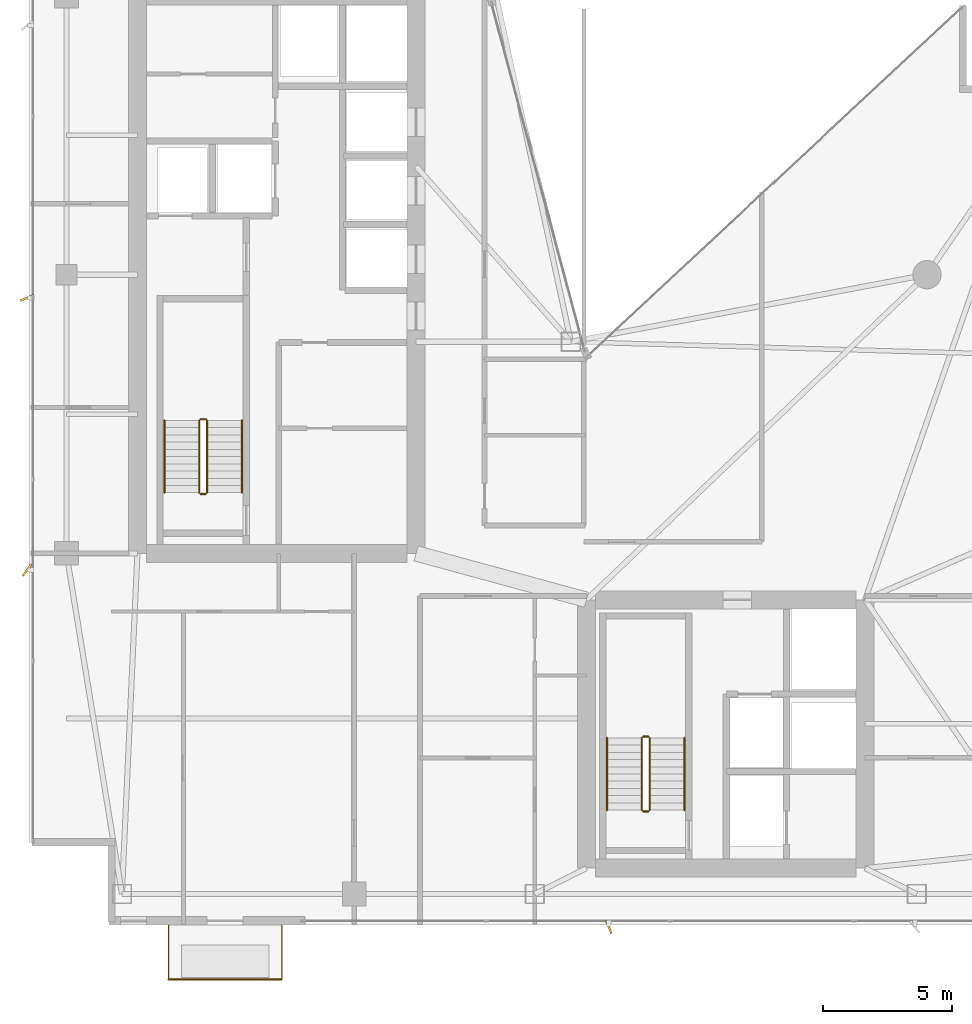
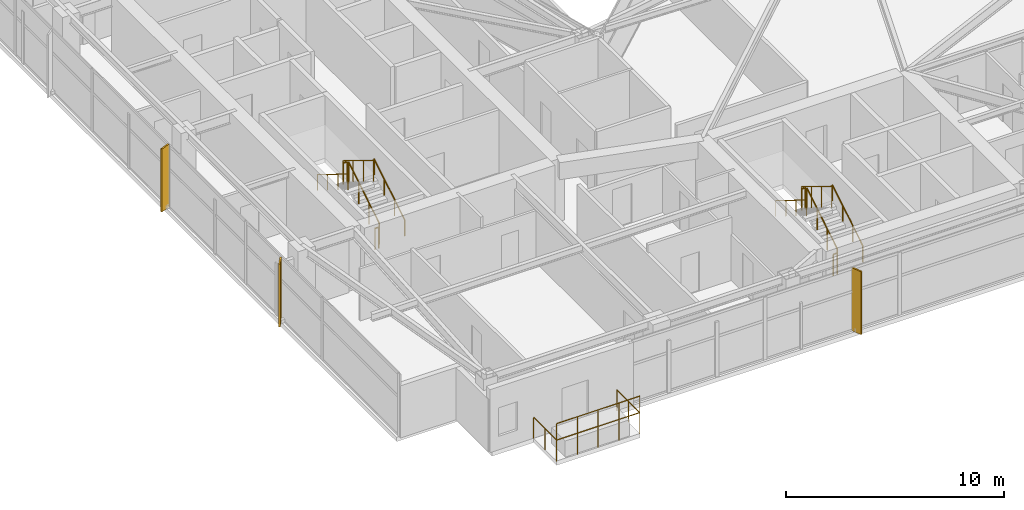
# One storey, part 26 of 27: 14 railings, 3 shading devices.
"""IFC4 building model written with IfcOpenShell, lengths in metres."""

from ifc_helpers import new_model, si_unit, direction, frame, origin, origin_2d, place, context, subcontext, project, spatial, rectangle, circle, extrude, material, type_object, element, save


model = new_model("IFC4")

# Units and contexts
model_context = context("Model", 3, precision=1e-05, world=origin(), true_north=direction((0.0, 1.0)))
body_context = subcontext(model_context, "Body", "Model", "MODEL_VIEW")
ifc_project = project(units=[si_unit("LENGTHUNIT", "METRE"), si_unit("AREAUNIT", "SQUARE_METRE"), si_unit("VOLUMEUNIT", "CUBIC_METRE"), si_unit("PLANEANGLEUNIT", "RADIAN"), si_unit("MASSUNIT", "GRAM", prefix="KILO")], contexts=[model_context])

# Site, building, storey
site_placement = place(None, origin())
site = spatial("IfcSite", under=ifc_project, at=site_placement, CompositionType="ELEMENT")
building_placement = place(site_placement, origin())
building = spatial("IfcBuilding", under=site, at=building_placement, Name="Calvorn Quay Hotel", CompositionType="ELEMENT")
storey_placement = place(building_placement, frame((0.0, 0.0, 230.699951171875)))
storey = spatial("IfcBuildingStorey", under=building, at=storey_placement, Name="L57", CompositionType="ELEMENT", Elevation=230.699951171875)

# Railings
ifc_material_1 = material(Name="Pale Anodised Aluminium and Laminated Glass", Category="aluminium")
railing_type_1 = type_object("IfcRailingType", Name="RLG-BALUSTRADE-1200", PredefinedType="BALUSTRADE", material=ifc_material_1)
railing_1_placement = place(storey_placement, frame((5.39990234375, 2.389892578125, 0.0)))
element("IfcRailing", 1, at=railing_1_placement, inside=storey, type_object=railing_type_1, Name="Tree Balcony Perimeter Balustrade L57-BALC-S", PredefinedType="BALUSTRADE", context=body_context, shape_type="SweptSolid", body=[
    extrude(circle(Radius=0.02392578125, at=origin_2d()), frame((0.0, 0.0, 1.17578125), z_axis=(0.0, -1.0, 0.0), x_axis=(1.0, 0.0, 0.0)), (0.0, 0.0, 1.0), 2.099853515625),
    extrude(circle(Radius=0.02392578125, at=origin_2d()), frame((0.0, -2.099853515625, 1.17578125), z_axis=(1.0, 0.0, 0.0), x_axis=(0.0, 1.0, 0.0)), (0.0, 0.0, 1.0), 4.400146484375),
    extrude(circle(Radius=0.02392578125, at=origin_2d()), frame((4.400146484375, -2.099853515625, 1.17578125), z_axis=(0.0, 1.0, 0.0), x_axis=(-1.0, 0.0, 0.0)), (0.0, 0.0, 1.0), 2.099853515625),
    extrude(circle(Radius=0.02099609375, at=origin_2d()), origin(), (0.0, 0.0, 1.0), 1.15185546875),
    extrude(circle(Radius=0.02099609375, at=origin_2d()), frame((0.0, -1.0498046875, 0.0)), (0.0, 0.0, 1.0), 1.15185546875),
    extrude(circle(Radius=0.02099609375, at=origin_2d()), frame((0.0, -2.099853515625, 0.0)), (0.0, 0.0, 1.0), 1.15185546875),
    extrude(circle(Radius=0.02099609375, at=origin_2d()), frame((1.10009765625, -2.099853515625, 0.0)), (0.0, 0.0, 1.0), 1.15185546875),
    extrude(circle(Radius=0.02099609375, at=origin_2d()), frame((2.2001953125, -2.099853515625, 0.0)), (0.0, 0.0, 1.0), 1.15185546875),
    extrude(circle(Radius=0.02099609375, at=origin_2d()), frame((3.300048828125, -2.099853515625, 0.0)), (0.0, 0.0, 1.0), 1.15185546875),
    extrude(circle(Radius=0.02099609375, at=origin_2d()), frame((4.400146484375, -2.099853515625, 0.0)), (0.0, 0.0, 1.0), 1.15185546875),
    extrude(circle(Radius=0.02099609375, at=origin_2d()), frame((4.400146484375, -1.0498046875, 0.0)), (0.0, 0.0, 1.0), 1.15185546875),
    extrude(circle(Radius=0.02099609375, at=origin_2d()), frame((4.400146484375, 0.0, 0.0)), (0.0, 0.0, 1.0), 1.15185546875),
])
railing_2_placement = place(storey_placement, frame((5.39990234375, 0.2900390625, 0.900146484375)))
element("IfcRailing", 2, at=railing_2_placement, inside=storey, type_object=railing_type_1, Name="Planter Kerb High Safety Screen L57-BALC-S", PredefinedType="BALUSTRADE", context=body_context, shape_type="SweptSolid", body=[
    extrude(circle(Radius=0.02392578125, at=origin_2d()), frame((0.0, 0.0, 1.19580078125), z_axis=(1.0, 0.0, 0.0), x_axis=(0.0, 1.0, 0.0)), (0.0, 0.0, 1.0), 4.400146484375),
    extrude(circle(Radius=0.02099609375, at=origin_2d()), origin(), (0.0, 0.0, 1.0), 1.171875),
    extrude(circle(Radius=0.02099609375, at=origin_2d()), frame((1.10009765625, 0.0, 0.0)), (0.0, 0.0, 1.0), 1.171875),
    extrude(circle(Radius=0.02099609375, at=origin_2d()), frame((2.2001953125, 0.0, 0.0)), (0.0, 0.0, 1.0), 1.171875),
    extrude(circle(Radius=0.02099609375, at=origin_2d()), frame((3.300048828125, 0.0, 0.0)), (0.0, 0.0, 1.0), 1.171875),
    extrude(circle(Radius=0.02099609375, at=origin_2d()), frame((4.400146484375, 0.0, 0.0)), (0.0, 0.0, 1.0), 1.171875),
])
ifc_material_2 = material(Name="Brushed Stainless Steel Handrail", Category="steel")
railing_type_2 = type_object("IfcRailingType", Name="RLG-HANDRAIL-900", PredefinedType="HANDRAIL", material=ifc_material_2)
railing_3_placement = place(storey_placement, frame((8.25, 19.14990234375, 0.1728515625)))
element("IfcRailing", 3, at=railing_3_placement, inside=storey, type_object=railing_type_2, Name="L57 ST-W stair handrail 1", PredefinedType="HANDRAIL", context=body_context, shape_type="SweptSolid", body=[
    extrude(circle(Radius=0.02392578125, at=origin_2d()), frame((0.0, 0.0, 0.8759765625), z_axis=(0.0, 0.851089632645, 0.525020415988), x_axis=(-1.0, 0.0, 0.0)), (0.0, 0.0, 1.0), 3.2900390625),
    extrude(circle(Radius=0.02099609375, at=origin_2d()), origin(), (0.0, 0.0, 1.0), 0.851806640625),
    extrude(circle(Radius=0.02099609375, at=origin_2d()), frame((0.0, 0.933349609375, 0.57568359375)), (0.0, 0.0, 1.0), 0.851806640625),
    extrude(circle(Radius=0.02099609375, at=origin_2d()), frame((0.0, 1.86669921875, 1.151611328125)), (0.0, 0.0, 1.0), 0.851806640625),
    extrude(circle(Radius=0.02099609375, at=origin_2d()), frame((0.0, 2.800048828125, 1.727294921875)), (0.0, 0.0, 1.0), 0.851806640625),
])
railing_4_placement = place(storey_placement, frame((5.25, 21.949951171875, 2.07275390625)))
element("IfcRailing", 4, at=railing_4_placement, inside=storey, type_object=railing_type_2, Name="L57 ST-W stair handrail 2", PredefinedType="HANDRAIL", context=body_context, shape_type="SweptSolid", body=[
    extrude(circle(Radius=0.02392578125, at=origin_2d()), frame((0.0, 0.0, 0.8759765625), z_axis=(0.0, -0.851089632645, 0.525020415988), x_axis=(1.0, 0.0, 0.0)), (0.0, 0.0, 1.0), 3.2900390625),
    extrude(circle(Radius=0.02099609375, at=origin_2d()), origin(), (0.0, 0.0, 1.0), 0.851806640625),
    extrude(circle(Radius=0.02099609375, at=origin_2d()), frame((0.0, -0.933349609375, 0.57568359375)), (0.0, 0.0, 1.0), 0.851806640625),
    extrude(circle(Radius=0.02099609375, at=origin_2d()), frame((0.0, -1.86669921875, 1.151611328125)), (0.0, 0.0, 1.0), 0.851806640625),
    extrude(circle(Radius=0.02099609375, at=origin_2d()), frame((0.0, -2.800048828125, 1.727294921875)), (0.0, 0.0, 1.0), 0.851806640625),
])
railing_5_placement = place(storey_placement, frame((25.39990234375, 6.85009765625, 0.1728515625)))
element("IfcRailing", 5, at=railing_5_placement, inside=storey, type_object=railing_type_2, Name="L57 ST-E stair handrail 1", PredefinedType="HANDRAIL", context=body_context, shape_type="SweptSolid", body=[
    extrude(circle(Radius=0.02392578125, at=origin_2d()), frame((0.0, 0.0, 0.8759765625), z_axis=(0.0, 0.851069175582, 0.525053576669), x_axis=(-1.0, 0.0, 0.0)), (0.0, 0.0, 1.0), 3.289794921875),
    extrude(circle(Radius=0.02099609375, at=origin_2d()), origin(), (0.0, 0.0, 1.0), 0.851806640625),
    extrude(circle(Radius=0.02099609375, at=origin_2d()), frame((0.0, 0.933349609375, 0.57568359375)), (0.0, 0.0, 1.0), 0.851806640625),
    extrude(circle(Radius=0.02099609375, at=origin_2d()), frame((0.0, 1.866455078125, 1.151611328125)), (0.0, 0.0, 1.0), 0.851806640625),
    extrude(circle(Radius=0.02099609375, at=origin_2d()), frame((0.0, 2.7998046875, 1.727294921875)), (0.0, 0.0, 1.0), 0.851806640625),
])
railing_6_placement = place(storey_placement, frame((22.39990234375, 9.64990234375, 2.07275390625)))
element("IfcRailing", 6, at=railing_6_placement, inside=storey, type_object=railing_type_2, Name="L57 ST-E stair handrail 2", PredefinedType="HANDRAIL", context=body_context, shape_type="SweptSolid", body=[
    extrude(circle(Radius=0.02392578125, at=origin_2d()), frame((0.0, 0.0, 0.8759765625), z_axis=(0.0, -0.851069175582, 0.525053576669), x_axis=(1.0, 0.0, 0.0)), (0.0, 0.0, 1.0), 3.289794921875),
    extrude(circle(Radius=0.02099609375, at=origin_2d()), origin(), (0.0, 0.0, 1.0), 0.851806640625),
    extrude(circle(Radius=0.02099609375, at=origin_2d()), frame((0.0, -0.933349609375, 0.57568359375)), (0.0, 0.0, 1.0), 0.851806640625),
    extrude(circle(Radius=0.02099609375, at=origin_2d()), frame((0.0, -1.866455078125, 1.151611328125)), (0.0, 0.0, 1.0), 0.851806640625),
    extrude(circle(Radius=0.02099609375, at=origin_2d()), frame((0.0, -2.7998046875, 1.727294921875)), (0.0, 0.0, 1.0), 0.851806640625),
])
ifc_material_3 = material(Name="Painted Galvanised Steel Balustrade", Category="steel")
railing_type_3 = type_object("IfcRailingType", Name="RLG-STAIR-GUARD-1120", PredefinedType="GUARDRAIL", material=ifc_material_3)
railing_7_placement = place(storey_placement, frame((6.89990234375, 19.14990234375, 0.1728515625)))
element("IfcRailing", 7, at=railing_7_placement, inside=storey, type_object=railing_type_3, Name="L57 ST-W stair guard 1", PredefinedType="GUARDRAIL", context=body_context, shape_type="SweptSolid", body=[
    extrude(circle(Radius=0.02392578125, at=origin_2d()), frame((0.0, 0.0, 1.17578125), z_axis=(0.0, 0.851089632645, 0.525020415988), x_axis=(-1.0, 0.0, 0.0)), (0.0, 0.0, 1.0), 3.2900390625),
    extrude(circle(Radius=0.02099609375, at=origin_2d()), origin(), (0.0, 0.0, 1.0), 1.15185546875),
    extrude(circle(Radius=0.02099609375, at=origin_2d()), frame((0.0, 0.933349609375, 0.57568359375)), (0.0, 0.0, 1.0), 1.15185546875),
    extrude(circle(Radius=0.02099609375, at=origin_2d()), frame((0.0, 1.86669921875, 1.151611328125)), (0.0, 0.0, 1.0), 1.15185546875),
    extrude(circle(Radius=0.02099609375, at=origin_2d()), frame((0.0, 2.800048828125, 1.727294921875)), (0.0, 0.0, 1.0), 1.15185546875),
])
railing_8_placement = place(storey_placement, frame((6.85009765625, 22.0, 1.900146484375)))
element("IfcRailing", 8, at=railing_8_placement, inside=storey, type_object=railing_type_3, Name="L57 ST-W stair guard 2", PredefinedType="GUARDRAIL", context=body_context, shape_type="SweptSolid", body=[
    extrude(circle(Radius=0.02392578125, at=origin_2d()), frame((0.0, 0.0, 1.17578125), z_axis=(-1.0, 0.0, 0.0), x_axis=(0.0, -1.0, 0.0)), (0.0, 0.0, 1.0), 0.2001953125),
    extrude(circle(Radius=0.02099609375, at=origin_2d()), origin(), (0.0, 0.0, 1.0), 1.15185546875),
    extrude(circle(Radius=0.02099609375, at=origin_2d()), frame((-0.2001953125, 0.0, 0.0)), (0.0, 0.0, 1.0), 1.15185546875),
])
railing_9_placement = place(storey_placement, frame((6.60009765625, 21.949951171875, 2.07275390625)))
element("IfcRailing", 9, at=railing_9_placement, inside=storey, type_object=railing_type_3, Name="L57 ST-W stair guard 3", PredefinedType="GUARDRAIL", context=body_context, shape_type="SweptSolid", body=[
    extrude(circle(Radius=0.02392578125, at=origin_2d()), frame((0.0, 0.0, 1.17578125), z_axis=(0.0, -0.851089632645, 0.525020415988), x_axis=(1.0, 0.0, 0.0)), (0.0, 0.0, 1.0), 3.2900390625),
    extrude(circle(Radius=0.02099609375, at=origin_2d()), origin(), (0.0, 0.0, 1.0), 1.15185546875),
    extrude(circle(Radius=0.02099609375, at=origin_2d()), frame((0.0, -0.933349609375, 0.57568359375)), (0.0, 0.0, 1.0), 1.15185546875),
    extrude(circle(Radius=0.02099609375, at=origin_2d()), frame((0.0, -1.86669921875, 1.151611328125)), (0.0, 0.0, 1.0), 1.15185546875),
    extrude(circle(Radius=0.02099609375, at=origin_2d()), frame((0.0, -2.800048828125, 1.727294921875)), (0.0, 0.0, 1.0), 1.15185546875),
])
railing_10_placement = place(storey_placement, frame((6.85009765625, 19.10009765625, 0.0)))
element("IfcRailing", 10, at=railing_10_placement, inside=storey, type_object=railing_type_3, Name="L57 ST-W stair guard 4", PredefinedType="GUARDRAIL", context=body_context, shape_type="SweptSolid", body=[
    extrude(circle(Radius=0.02392578125, at=origin_2d()), frame((0.0, 0.0, 1.17578125), z_axis=(-1.0, 0.0, 0.0), x_axis=(0.0, -1.0, 0.0)), (0.0, 0.0, 1.0), 0.2001953125),
    extrude(circle(Radius=0.02099609375, at=origin_2d()), origin(), (0.0, 0.0, 1.0), 1.15185546875),
    extrude(circle(Radius=0.02099609375, at=origin_2d()), frame((-0.2001953125, 0.0, 0.0)), (0.0, 0.0, 1.0), 1.15185546875),
])
railing_11_placement = place(storey_placement, frame((24.050048828125, 6.85009765625, 0.1728515625)))
element("IfcRailing", 11, at=railing_11_placement, inside=storey, type_object=railing_type_3, Name="L57 ST-E stair guard 1", PredefinedType="GUARDRAIL", context=body_context, shape_type="SweptSolid", body=[
    extrude(circle(Radius=0.02392578125, at=origin_2d()), frame((0.0, 0.0, 1.17578125), z_axis=(0.0, 0.851069175582, 0.525053576669), x_axis=(-1.0, 0.0, 0.0)), (0.0, 0.0, 1.0), 3.289794921875),
    extrude(circle(Radius=0.02099609375, at=origin_2d()), origin(), (0.0, 0.0, 1.0), 1.15185546875),
    extrude(circle(Radius=0.02099609375, at=origin_2d()), frame((0.0, 0.933349609375, 0.57568359375)), (0.0, 0.0, 1.0), 1.15185546875),
    extrude(circle(Radius=0.02099609375, at=origin_2d()), frame((0.0, 1.866455078125, 1.151611328125)), (0.0, 0.0, 1.0), 1.15185546875),
    extrude(circle(Radius=0.02099609375, at=origin_2d()), frame((0.0, 2.7998046875, 1.727294921875)), (0.0, 0.0, 1.0), 1.15185546875),
])
railing_12_placement = place(storey_placement, frame((24.0, 9.699951171875, 1.900146484375)))
element("IfcRailing", 12, at=railing_12_placement, inside=storey, type_object=railing_type_3, Name="L57 ST-E stair guard 2", PredefinedType="GUARDRAIL", context=body_context, shape_type="SweptSolid", body=[
    extrude(circle(Radius=0.02392578125, at=origin_2d()), frame((0.0, 0.0, 1.17578125), z_axis=(-1.0, 0.0, 0.0), x_axis=(0.0, -1.0, 0.0)), (0.0, 0.0, 1.0), 0.199951171875),
    extrude(circle(Radius=0.02099609375, at=origin_2d()), origin(), (0.0, 0.0, 1.0), 1.15185546875),
    extrude(circle(Radius=0.02099609375, at=origin_2d()), frame((-0.199951171875, 0.0, 0.0)), (0.0, 0.0, 1.0), 1.15185546875),
])
railing_13_placement = place(storey_placement, frame((23.75, 9.64990234375, 2.07275390625)))
element("IfcRailing", 13, at=railing_13_placement, inside=storey, type_object=railing_type_3, Name="L57 ST-E stair guard 3", PredefinedType="GUARDRAIL", context=body_context, shape_type="SweptSolid", body=[
    extrude(circle(Radius=0.02392578125, at=origin_2d()), frame((0.0, 0.0, 1.17578125), z_axis=(0.0, -0.851069175582, 0.525053576669), x_axis=(1.0, 0.0, 0.0)), (0.0, 0.0, 1.0), 3.289794921875),
    extrude(circle(Radius=0.02099609375, at=origin_2d()), origin(), (0.0, 0.0, 1.0), 1.15185546875),
    extrude(circle(Radius=0.02099609375, at=origin_2d()), frame((0.0, -0.933349609375, 0.57568359375)), (0.0, 0.0, 1.0), 1.15185546875),
    extrude(circle(Radius=0.02099609375, at=origin_2d()), frame((0.0, -1.866455078125, 1.151611328125)), (0.0, 0.0, 1.0), 1.15185546875),
    extrude(circle(Radius=0.02099609375, at=origin_2d()), frame((0.0, -2.7998046875, 1.727294921875)), (0.0, 0.0, 1.0), 1.15185546875),
])
railing_14_placement = place(storey_placement, frame((24.0, 6.800048828125, 0.0)))
element("IfcRailing", 14, at=railing_14_placement, inside=storey, type_object=railing_type_3, Name="L57 ST-E stair guard 4", PredefinedType="GUARDRAIL", context=body_context, shape_type="SweptSolid", body=[
    extrude(circle(Radius=0.02392578125, at=origin_2d()), frame((0.0, 0.0, 1.17578125), z_axis=(-1.0, 0.0, 0.0), x_axis=(0.0, -1.0, 0.0)), (0.0, 0.0, 1.0), 0.199951171875),
    extrude(circle(Radius=0.02099609375, at=origin_2d()), origin(), (0.0, 0.0, 1.0), 1.15185546875),
    extrude(circle(Radius=0.02099609375, at=origin_2d()), frame((-0.199951171875, 0.0, 0.0)), (0.0, 0.0, 1.0), 1.15185546875),
])

# Shading devices
ifc_material_4 = material(Name="Champagne Bronze Anodised Aluminium 6063-T6", Category="aluminium")
shading_device_type_1 = type_object("IfcShadingDeviceType", Name="SHD-FIN-A1", PredefinedType="USERDEFINED", material=ifc_material_4)
for number, where, z_axis, x_axis, name in (
    (15, (-0.080078125, 26.699951171875, 0.0), (0.0, 0.0, 1.0), (0.927183854567, 0.374606593416, 0.0), "Diagonal Sun-Shading Fin L57-W02"),
    (16, (22.467041015625, 2.320068359375, 0.0), (0.0, 0.0, 1.0), (-0.374606593416, 0.927183854567, 0.0), "Diagonal Sun-Shading Fin L57-S01"),
):
    element("IfcShadingDevice", number, at=place(storey_placement, frame(where, z_axis=z_axis, x_axis=x_axis)), inside=storey, type_object=shading_device_type_1, Name=name, ObjectType="FIN", PredefinedType="USERDEFINED", context=body_context, shape_type="SweptSolid", body=[
        extrude(rectangle(XDim=0.550048828125, YDim=0.080078125, at=origin_2d()), origin(), (0.0, 0.0, 1.0), 3.52001953125),
    ])
ifc_material_5 = material(Name="Champagne Bronze Anodised Aluminium 6063-T6", Category="aluminium")
shading_device_type_2 = type_object("IfcShadingDeviceType", Name="SHD-FIN-A3", PredefinedType="USERDEFINED", material=ifc_material_5)
shading_device_placement = place(storey_placement, frame((-0.080078125, 16.14990234375, 0.0), z_axis=(0.0, 0.0, 1.0), x_axis=(0.587785252292, 0.809016994375, 0.0)))
element("IfcShadingDevice", 17, at=shading_device_placement, inside=storey, type_object=shading_device_type_2, Name="Diagonal Sun-Shading Fin L57-W01", ObjectType="FIN", PredefinedType="USERDEFINED", context=body_context, shape_type="SweptSolid", body=[
    extrude(rectangle(XDim=0.550048828125, YDim=0.080078125, at=origin_2d()), origin(), (0.0, 0.0, 1.0), 3.52001953125),
])

save(model, "model.ifc")
